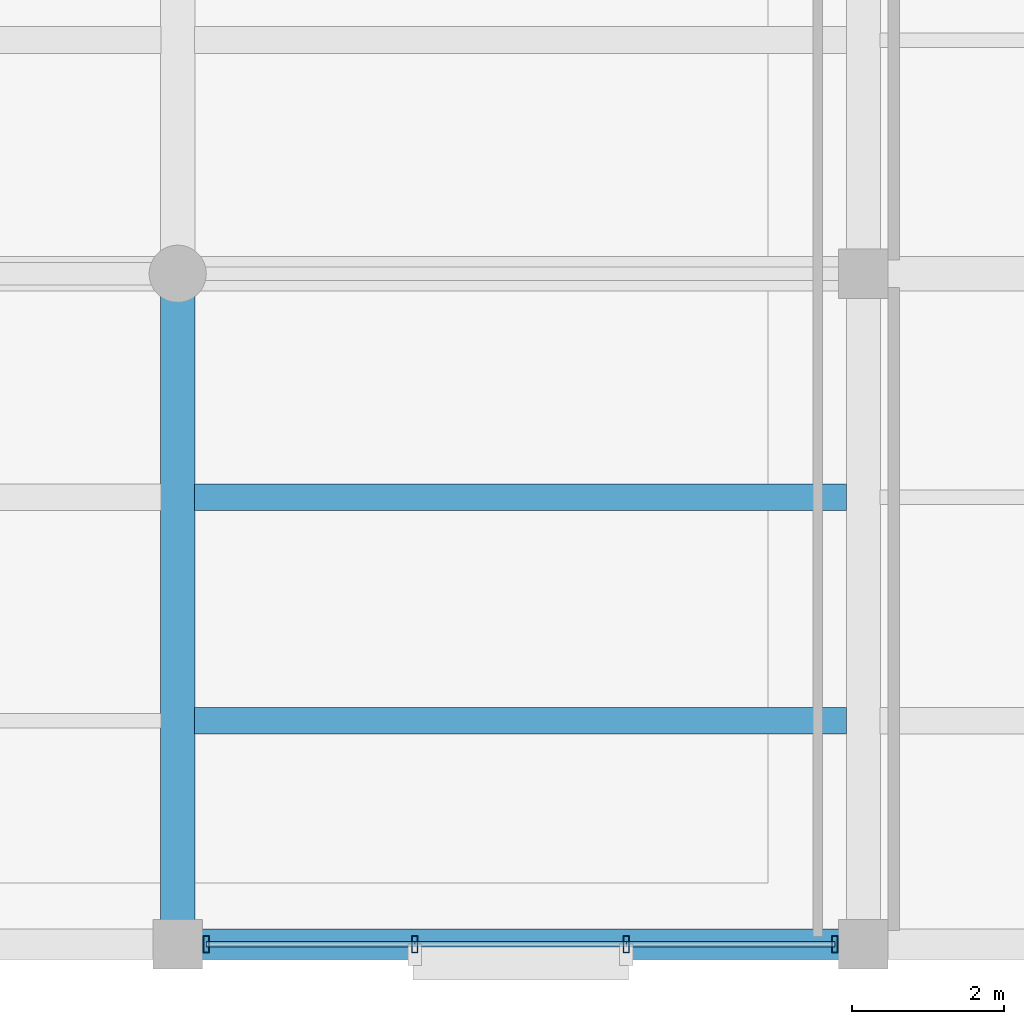
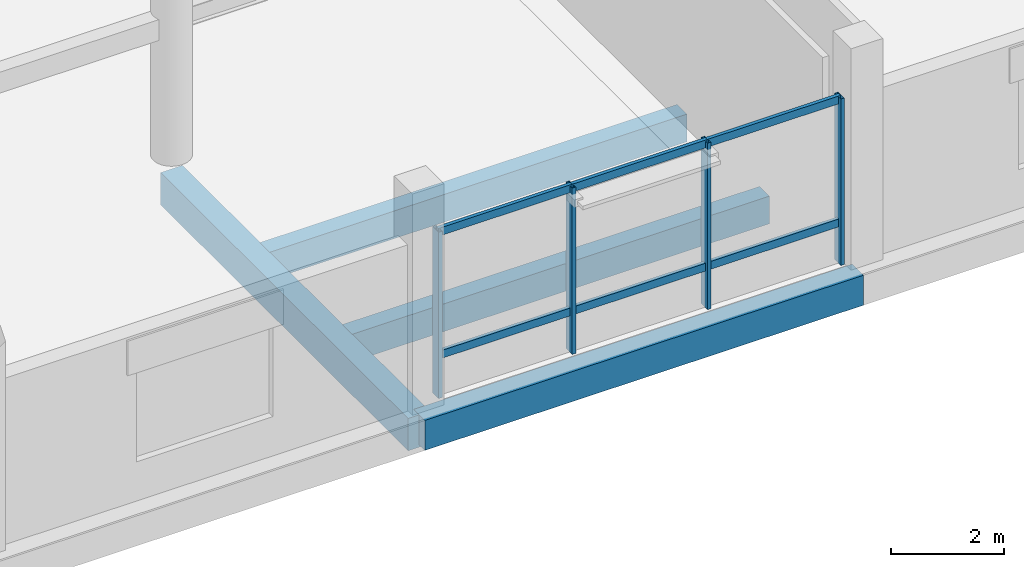
# One storey, part 16 of 71: 10 members, 4 beams, 1 element without a shape of its own.
"""IFC4 building model written with IfcOpenShell, lengths in metres."""

import ifcopenshell
import ifcopenshell.guid

model = None  # the IFC model being written
_history = None  # IfcOwnerHistory: only IFC2X3 demands one
_inside = {}  # id of a spatial element -> (the spatial element, [elements in it])
_under = {}  # id of a project, library or spatial element -> (it, [spatial elements below it])
_declared = {}  # id of a project -> (the project, [libraries it declares])
_typed = {}  # id of a type object -> (the type object, [elements of that type])
_made_of = {}  # id of a material, layer set ... -> (it, [elements and type objects made of it])


def new_model(schema):
    """Start an empty IFC model of exactly this schema.

    Asked for "IFC4X3", IfcOpenShell would pick the latest addendum, in which some entities
    have other attributes; the version numbers below select the first issue.
    IFC2X3 requires an IfcOwnerHistory on every rooted entity: one is made here for all.
    """
    global model, _history
    if schema == "IFC4X3":
        model = ifcopenshell.file(schema_version=(4, 3, 0, 0))
    else:
        model = ifcopenshell.file(schema=schema)
    _inside.clear()
    _under.clear()
    _declared.clear()
    _typed.clear()
    _made_of.clear()
    _history = None
    if model.schema == "IFC2X3":
        org = make("IfcOrganization", Name="unknown")
        user = make(
            "IfcPersonAndOrganization",
            ThePerson=make("IfcPerson", FamilyName="unknown"),
            TheOrganization=org,
        )
        app = make(
            "IfcApplication",
            ApplicationDeveloper=org,
            Version="unknown",
            ApplicationFullName="unknown",
            ApplicationIdentifier="unknown",
        )
        _history = make(
            "IfcOwnerHistory",
            OwningUser=user,
            OwningApplication=app,
            ChangeAction="ADDED",
            CreationDate=0,
        )
    return model


def make(cls, **values):
    """One entity of the class cls with the attributes given. An attribute that is None is left unset."""
    return model.create_entity(
        cls, **{name: value for name, value in values.items() if value is not None}
    )


def rooted(cls, **values):
    """An entity with a GlobalId (a new one), such as an element, a storey or a relation."""
    return make(cls, GlobalId=ifcopenshell.guid.new(), OwnerHistory=_history, **values)


def si_unit(unit_type, name, prefix=None):
    """IfcSIUnit, for example si_unit("LENGTHUNIT", "METRE", prefix="MILLI")."""
    return make("IfcSIUnit", UnitType=unit_type, Prefix=prefix, Name=name)


def assignment(units):
    """IfcUnitAssignment: the units of a project."""
    return None if units is None else make("IfcUnitAssignment", Units=units)


def point(xyz):
    """IfcCartesianPoint."""
    return None if xyz is None else make("IfcCartesianPoint", Coordinates=xyz)


def direction(xyz):
    """IfcDirection."""
    return None if xyz is None else make("IfcDirection", DirectionRatios=xyz)


def frame(location, z_axis=None, x_axis=None):
    """IfcAxis2Placement3D, a coordinate frame: its origin and axes. An axis left out is left unset."""
    return make(
        "IfcAxis2Placement3D",
        Location=point(location),
        Axis=direction(z_axis),
        RefDirection=direction(x_axis),
    )


def frame_2d(location, x_axis=None):
    """IfcAxis2Placement2D, a coordinate frame in the plane: its origin and x axis."""
    return make(
        "IfcAxis2Placement2D", Location=point(location), RefDirection=direction(x_axis)
    )


def origin():
    """The frame at (0, 0, 0) with its axes left unset."""
    return frame((0.0, 0.0, 0.0))


def origin_2d():
    """The frame at (0, 0) in the plane with its x axis left unset."""
    return frame_2d((0.0, 0.0))


def place(relative_to, where):
    """IfcLocalPlacement: puts the frame where relative to a parent placement (None: the world)."""
    return make(
        "IfcLocalPlacement", PlacementRelTo=relative_to, RelativePlacement=where
    )


def context(
    kind, dimensions, precision=None, world=None, true_north=None, identifier=None
):
    """IfcGeometricRepresentationContext, for example the 3D "Model" context."""
    return make(
        "IfcGeometricRepresentationContext",
        ContextIdentifier=identifier,
        ContextType=kind,
        CoordinateSpaceDimension=dimensions,
        Precision=precision,
        WorldCoordinateSystem=world,
        TrueNorth=true_north,
    )


def subcontext(parent, identifier, kind, view, scale=None):
    """IfcGeometricRepresentationSubContext, for example "Body" below "Model"."""
    return make(
        "IfcGeometricRepresentationSubContext",
        ContextIdentifier=identifier,
        ContextType=kind,
        ParentContext=parent,
        TargetScale=scale,
        TargetView=view,
    )


def project(units=None, contexts=None):
    """IfcProject with its units and contexts."""
    return rooted(
        "IfcProject",
        Name="project",
        RepresentationContexts=contexts,
        UnitsInContext=assignment(units),
    )


def spatial(cls, under=None, at=None, **own):
    """A site, building, storey or space (cls), placed at a placement, below another one or the project."""
    s = rooted(cls, ObjectPlacement=at, **own)
    if under is not None:
        _under.setdefault(under.id(), (under, []))[1].append(s)
    return s


def profile(cls, at=None, kind="AREA", **sizes):
    """A parametric profile (cls). Its sizes go by their IFC names, for example OverallWidth=200.0."""
    return make(cls, ProfileType=kind, Position=at, **sizes)


def rectangle(**sizes):
    """IfcRectangleProfileDef."""
    return profile("IfcRectangleProfileDef", **sizes)


def hollow_rectangle(**sizes):
    """IfcRectangleHollowProfileDef."""
    return profile("IfcRectangleHollowProfileDef", **sizes)


def extrude(swept, where, along, depth):
    """IfcExtrudedAreaSolid: the profile swept, set in the frame where, extruded along a direction by depth."""
    return make(
        "IfcExtrudedAreaSolid",
        SweptArea=swept,
        Position=where,
        ExtrudedDirection=direction(along),
        Depth=depth,
    )


def shape(context_of_items, identifier, shape_type, items):
    """IfcShapeRepresentation: the items that make up one representation, for example the "Body"."""
    return make(
        "IfcShapeRepresentation",
        ContextOfItems=context_of_items,
        RepresentationIdentifier=identifier,
        RepresentationType=shape_type,
        Items=items,
    )


def material(Name=None, Category=None):
    """IfcMaterial."""
    return make("IfcMaterial", Name=Name, Category=Category)


def layer(
    of_material, thickness, ventilated=None, Name=None, Category=None, Priority=None
):
    """IfcMaterialLayer: one layer of a wall or slab, of a material (None: an air gap)."""
    return make(
        "IfcMaterialLayer",
        Material=of_material,
        LayerThickness=thickness,
        IsVentilated=ventilated,
        Name=Name,
        Category=Category,
        Priority=Priority,
    )


def layer_set(layers, Name=None):
    """IfcMaterialLayerSet."""
    return make("IfcMaterialLayerSet", MaterialLayers=layers, LayerSetName=Name)


def material_profile(
    of_material, cross_section, Name=None, Category=None, Priority=None
):
    """IfcMaterialProfile: a cross section and its material."""
    return make(
        "IfcMaterialProfile",
        Name=Name,
        Material=of_material,
        Profile=cross_section,
        Priority=Priority,
        Category=Category,
    )


def profile_set(profiles, Name=None, composite=None):
    """IfcMaterialProfileSet."""
    return make(
        "IfcMaterialProfileSet",
        Name=Name,
        MaterialProfiles=profiles,
        CompositeProfile=composite,
    )


def made_of(thing, what):
    """Note that an element or type object is made of a material, layer set ...; save() writes the relation."""
    if what is not None:
        _made_of.setdefault(what.id(), (what, []))[1].append(thing)
    return thing


def type_object(cls, material=None, **own):
    """A type object (cls), such as IfcWallType, which elements share."""
    return made_of(rooted(cls, **own), material)


def element(
    cls,
    number,
    at=None,
    inside=None,
    cuts=None,
    type_object=None,
    material=None,
    context=None,
    identifier="Body",
    shape_type=None,
    held_by="IfcProductDefinitionShape",
    body=None,
    shapes=None,
    **own,
):
    """One element of the class cls, such as IfcWall. Its Tag is "e" and its number.

    at: its placement. inside: the storey or other place that contains it. cuts: it is an
    opening in that element (IfcRelVoidsElement). A single representation is given by context,
    identifier, shape_type and body (its items); several are given by shapes. held_by: the class
    of the entity that holds the representations. save() writes the other relations.
    """
    e = rooted(cls, Tag="e%d" % number, ObjectPlacement=at, **own)
    if body is not None:
        shapes = [shape(context, identifier, shape_type, body)]
    if shapes is not None:
        e.Representation = make(held_by, Representations=shapes)
    if inside is not None:
        _inside.setdefault(inside.id(), (inside, []))[1].append(e)
    if cuts is not None:
        rooted(
            "IfcRelVoidsElement", RelatingBuildingElement=cuts, RelatedOpeningElement=e
        )
    if type_object is not None:
        _typed.setdefault(type_object.id(), (type_object, []))[1].append(e)
    return made_of(e, material)


def aggregate(whole, parts):
    """IfcRelAggregates: a whole, such as a stair, and the parts it consists of."""
    return rooted("IfcRelAggregates", RelatingObject=whole, RelatedObjects=parts)


def save(model, path):
    """Write the relations noted so far, then the file.

    IfcRelAggregates (storeys below a building ...), IfcRelContainedInSpatialStructure (elements
    in a storey), IfcRelDefinesByType, IfcRelAssociatesMaterial and IfcRelDeclares: one each for
    every whole, place, type object, material and project.
    """
    for whole, parts in _under.values():
        aggregate(whole, parts)
    for where, things in _inside.values():
        rooted(
            "IfcRelContainedInSpatialStructure",
            RelatedElements=things,
            RelatingStructure=where,
        )
    for kind, things in _typed.values():
        rooted("IfcRelDefinesByType", RelatedObjects=things, RelatingType=kind)
    for what, things in _made_of.values():
        rooted("IfcRelAssociatesMaterial", RelatedObjects=things, RelatingMaterial=what)
    for by, libraries in _declared.values():
        rooted("IfcRelDeclares", RelatingContext=by, RelatedDefinitions=libraries)
    model.write(path)


model = new_model("IFC4")

# Units and contexts
model_context = context("Model", 3, precision=1e-05, world=origin(), true_north=direction((0.0, 1.0)))
body_context = subcontext(model_context, "Body", "Model", "MODEL_VIEW")
ifc_project = project(units=[si_unit("LENGTHUNIT", "METRE"), si_unit("AREAUNIT", "SQUARE_METRE"), si_unit("VOLUMEUNIT", "CUBIC_METRE"), si_unit("PLANEANGLEUNIT", "RADIAN"), si_unit("MASSUNIT", "GRAM", prefix="KILO")], contexts=[model_context])

# Site, building, storey
site_placement = place(None, origin())
site = spatial("IfcSite", under=ifc_project, at=site_placement, CompositionType="ELEMENT")
building_placement = place(site_placement, origin())
building = spatial("IfcBuilding", under=site, at=building_placement, Name="Meriwether Solvik Hall", CompositionType="ELEMENT")
storey_placement = place(building_placement, frame((0.0, 0.0, 5.10009765625)))
storey = spatial("IfcBuildingStorey", under=building, at=storey_placement, Name="L01", CompositionType="ELEMENT", Elevation=5.10009765625)

# Beams
ifc_material_1 = material(Name="Concrete C40/50", Category="concrete")
ifc_material_profile_1 = material_profile(ifc_material_1, rectangle(XDim=0.35009765625, YDim=0.60009765625, at=origin_2d()), Name="RCB-350X600")
ifc_profile_set_1 = profile_set([ifc_material_profile_1], Name="Concrete C40/50")
beam_type_1 = type_object("IfcBeamType", Name="BM-RC-350X600", PredefinedType="JOIST", material=ifc_profile_set_1)
for number, where, z_axis, x_axis, name in (
    (1, (87.02001953125, 8.13330078125, -0.60009765625), (1.0, 0.0, 0.0), (0.0, 1.0, 0.0), "Secondary Floor Joist 10/A_J1 (L01)"),
    (2, (87.02001953125, 11.066650390625, -0.60009765625), (1.0, 0.0, 0.0), (0.0, 1.0, 0.0), "Secondary Floor Joist 10/A_J2 (L01)"),
):
    element("IfcBeam", number, at=place(storey_placement, frame(where, z_axis=z_axis, x_axis=x_axis)), inside=storey, type_object=beam_type_1, Name=name, PredefinedType="JOIST", context=body_context, shape_type="SweptSolid", body=[
        extrude(rectangle(XDim=0.35009765625, YDim=0.60009765625, at=origin_2d()), origin(), (0.0, 0.0, 1.0), 8.56005859375),
    ])
ifc_material_2 = material(Name="Concrete C40/50", Category="concrete")
ifc_material_profile_2 = material_profile(ifc_material_2, rectangle(XDim=0.39990234375, YDim=0.64990234375, at=origin_2d()), Name="RCB-400X650")
ifc_profile_set_2 = profile_set([ifc_material_profile_2], Name="Concrete C40/50")
beam_type_2 = type_object("IfcBeamType", Name="BM-RC-400X650", PredefinedType="SPANDREL", material=ifc_profile_set_2)
beam_1_placement = place(storey_placement, frame((86.800048828125, 5.199951171875, -0.625), z_axis=(1.0, 0.0, 0.0), x_axis=(0.0, 1.0, 0.0)))
element("IfcBeam", 3, at=beam_1_placement, inside=storey, type_object=beam_type_2, Name="Podium Girder A:10-11 (L01)", PredefinedType="SPANDREL", context=body_context, shape_type="SweptSolid", body=[
    extrude(rectangle(XDim=0.39990234375, YDim=0.64990234375, at=origin_2d()), origin(), (0.0, 0.0, 1.0), 9.0),
])
ifc_material_3 = material(Name="Concrete C40/50", Category="concrete")
ifc_material_profile_3 = material_profile(ifc_material_3, rectangle(XDim=0.449951171875, YDim=0.699951171875, at=origin_2d()), Name="RCB-450X700")
ifc_profile_set_3 = profile_set([ifc_material_profile_3], Name="Concrete C40/50")
beam_type_3 = type_object("IfcBeamType", Name="BM-RC-450X700", PredefinedType="BEAM", material=ifc_profile_set_3)
beam_2_placement = place(storey_placement, frame((86.800048828125, 5.199951171875, -0.650146484375), z_axis=(0.0, 1.0, 0.0), x_axis=(-1.0, 0.0, 0.0)))
element("IfcBeam", 4, at=beam_2_placement, inside=storey, type_object=beam_type_3, Name="Podium Girder 10:A-B (L01)", PredefinedType="BEAM", context=body_context, shape_type="SweptSolid", body=[
    extrude(rectangle(XDim=0.449951171875, YDim=0.699951171875, at=origin_2d()), origin(), (0.0, 0.0, 1.0), 8.800048828125),
])

# Curtain wall, members
ifc_material_4 = material(Name="Thermally Broken Anodised Aluminium 6063-T6 and Low-E Glass", Category="aluminium")
ifc_layer = layer(ifc_material_4, 0.179931640625)
ifc_layer_set = layer_set([ifc_layer], Name="Thermally Broken Anodised Aluminium 6063-T6 and Low-E Glass")
curtain_wall_type = type_object("IfcCurtainWallType", Name="CW-SF-POD-B", PredefinedType="USERDEFINED", material=ifc_layer_set)
curtain_wall_placement = place(storey_placement, origin())
curtain_wall = element("IfcCurtainWall", 5, at=curtain_wall_placement, inside=storey, type_object=curtain_wall_type, Name="Curtain Wall wing_XA_10_9 (L01)", ObjectType="STICK STOREFRONT GLAZING", PredefinedType="USERDEFINED")
ifc_material_5 = material(Name="Anodised Aluminium 6063-T6", Category="aluminium")
ifc_material_profile_4 = material_profile(ifc_material_5, hollow_rectangle(XDim=0.074951171875, YDim=0.219970703125, WallThickness=0.005615234375, at=origin_2d()), Name="CWM-75X220")
ifc_profile_set_4 = profile_set([ifc_material_profile_4], Name="Anodised Aluminium 6063-T6")
member_type_1 = type_object("IfcMemberType", Name="CW-MUL-75X220", PredefinedType="MULLION", material=ifc_profile_set_4)
member_1_placement = place(storey_placement, frame((95.425048828125, 5.199951171875, 0.0), z_axis=(0.0, 0.0, 1.0), x_axis=(-1.0, 0.0, 0.0)))
member_1 = element("IfcMember", 6, at=member_1_placement, type_object=member_type_1, Name="Curtain Wall Mullion 1", PredefinedType="MULLION", context=body_context, shape_type="SweptSolid", body=[
    extrude(hollow_rectangle(XDim=0.074951171875, YDim=0.219970703125, WallThickness=0.005615234375, at=origin_2d()), origin(), (0.0, 0.0, 1.0), 3.60986328125),
])
member_2_placement = place(storey_placement, frame((92.687744140625, 5.199951171875, 0.0), z_axis=(0.0, 0.0, 1.0), x_axis=(-1.0, 0.0, 0.0)))
member_2 = element("IfcMember", 7, at=member_2_placement, type_object=member_type_1, Name="Curtain Wall Mullion 2", PredefinedType="MULLION", context=body_context, shape_type="SweptSolid", body=[
    extrude(hollow_rectangle(XDim=0.074951171875, YDim=0.219970703125, WallThickness=0.005615234375, at=origin_2d()), origin(), (0.0, 0.0, 1.0), 3.60986328125),
])
member_3_placement = place(storey_placement, frame((89.912353515625, 5.199951171875, 0.0), z_axis=(0.0, 0.0, 1.0), x_axis=(-1.0, 0.0, 0.0)))
member_3 = element("IfcMember", 8, at=member_3_placement, type_object=member_type_1, Name="Curtain Wall Mullion 3", PredefinedType="MULLION", context=body_context, shape_type="SweptSolid", body=[
    extrude(hollow_rectangle(XDim=0.074951171875, YDim=0.219970703125, WallThickness=0.005615234375, at=origin_2d()), origin(), (0.0, 0.0, 1.0), 3.60986328125),
])
member_4_placement = place(storey_placement, frame((87.175048828125, 5.199951171875, 0.0), z_axis=(0.0, 0.0, 1.0), x_axis=(-1.0, 0.0, 0.0)))
member_4 = element("IfcMember", 9, at=member_4_placement, type_object=member_type_1, Name="Curtain Wall Mullion 4", PredefinedType="MULLION", context=body_context, shape_type="SweptSolid", body=[
    extrude(hollow_rectangle(XDim=0.074951171875, YDim=0.219970703125, WallThickness=0.005615234375, at=origin_2d()), origin(), (0.0, 0.0, 1.0), 3.60986328125),
])
ifc_material_6 = material(Name="Anodised Aluminium 6063-T6", Category="aluminium")
ifc_material_profile_5 = material_profile(ifc_material_6, hollow_rectangle(XDim=0.074951171875, YDim=0.169921875, WallThickness=0.005615234375, at=origin_2d()), Name="CWT-75X170")
ifc_profile_set_5 = profile_set([ifc_material_profile_5], Name="Anodised Aluminium 6063-T6")
member_type_2 = type_object("IfcMemberType", Name="CW-TRN-75X170", PredefinedType="USERDEFINED", material=ifc_profile_set_5)
member_5_placement = place(storey_placement, frame((95.425048828125, 5.199951171875, 0.8798828125), z_axis=(-1.0, 0.0, 0.0), x_axis=(0.0, -1.0, 0.0)))
member_5 = element("IfcMember", 10, at=member_5_placement, type_object=member_type_2, Name="Curtain Wall Transom 1-sill", ObjectType="TRANSOM", PredefinedType="USERDEFINED", context=body_context, shape_type="SweptSolid", body=[
    extrude(hollow_rectangle(XDim=0.074951171875, YDim=0.169921875, WallThickness=0.005615234375, at=origin_2d()), origin(), (0.0, 0.0, 1.0), 2.7373046875),
])
member_6_placement = place(storey_placement, frame((95.425048828125, 5.199951171875, 3.5498046875), z_axis=(-1.0, 0.0, 0.0), x_axis=(0.0, -1.0, 0.0)))
member_6 = element("IfcMember", 11, at=member_6_placement, type_object=member_type_2, Name="Curtain Wall Transom 1-head", ObjectType="TRANSOM", PredefinedType="USERDEFINED", context=body_context, shape_type="SweptSolid", body=[
    extrude(hollow_rectangle(XDim=0.074951171875, YDim=0.169921875, WallThickness=0.005615234375, at=origin_2d()), origin(), (0.0, 0.0, 1.0), 2.7373046875),
])
member_7_placement = place(storey_placement, frame((92.687744140625, 5.199951171875, 0.8798828125), z_axis=(-1.0, 0.0, 0.0), x_axis=(0.0, -1.0, 0.0)))
member_7 = element("IfcMember", 12, at=member_7_placement, type_object=member_type_2, Name="Curtain Wall Transom 2-sill", ObjectType="TRANSOM", PredefinedType="USERDEFINED", context=body_context, shape_type="SweptSolid", body=[
    extrude(hollow_rectangle(XDim=0.074951171875, YDim=0.169921875, WallThickness=0.005615234375, at=origin_2d()), origin(), (0.0, 0.0, 1.0), 2.775390625),
])
member_8_placement = place(storey_placement, frame((92.687744140625, 5.199951171875, 3.5498046875), z_axis=(-1.0, 0.0, 0.0), x_axis=(0.0, -1.0, 0.0)))
member_8 = element("IfcMember", 13, at=member_8_placement, type_object=member_type_2, Name="Curtain Wall Transom 2-head", ObjectType="TRANSOM", PredefinedType="USERDEFINED", context=body_context, shape_type="SweptSolid", body=[
    extrude(hollow_rectangle(XDim=0.074951171875, YDim=0.169921875, WallThickness=0.005615234375, at=origin_2d()), origin(), (0.0, 0.0, 1.0), 2.775390625),
])
member_9_placement = place(storey_placement, frame((89.912353515625, 5.199951171875, 0.8798828125), z_axis=(-1.0, 0.0, 0.0), x_axis=(0.0, -1.0, 0.0)))
member_9 = element("IfcMember", 14, at=member_9_placement, type_object=member_type_2, Name="Curtain Wall Transom 3-sill", ObjectType="TRANSOM", PredefinedType="USERDEFINED", context=body_context, shape_type="SweptSolid", body=[
    extrude(hollow_rectangle(XDim=0.074951171875, YDim=0.169921875, WallThickness=0.005615234375, at=origin_2d()), origin(), (0.0, 0.0, 1.0), 2.7373046875),
])
member_10_placement = place(storey_placement, frame((89.912353515625, 5.199951171875, 3.5498046875), z_axis=(-1.0, 0.0, 0.0), x_axis=(0.0, -1.0, 0.0)))
member_10 = element("IfcMember", 15, at=member_10_placement, type_object=member_type_2, Name="Curtain Wall Transom 3-head", ObjectType="TRANSOM", PredefinedType="USERDEFINED", context=body_context, shape_type="SweptSolid", body=[
    extrude(hollow_rectangle(XDim=0.074951171875, YDim=0.169921875, WallThickness=0.005615234375, at=origin_2d()), origin(), (0.0, 0.0, 1.0), 2.7373046875),
])
aggregate(curtain_wall, [member_1, member_2, member_3, member_4, member_5, member_6, member_7, member_8, member_9, member_10])

save(model, "model.ifc")
